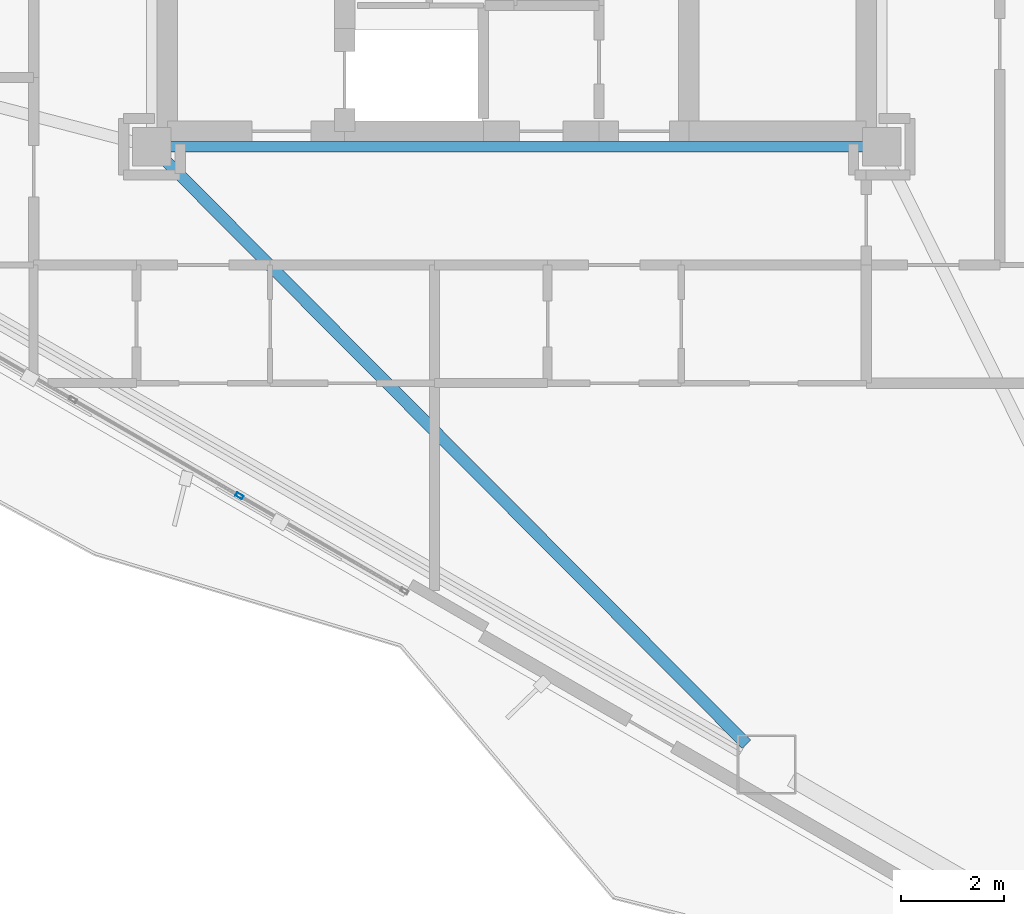
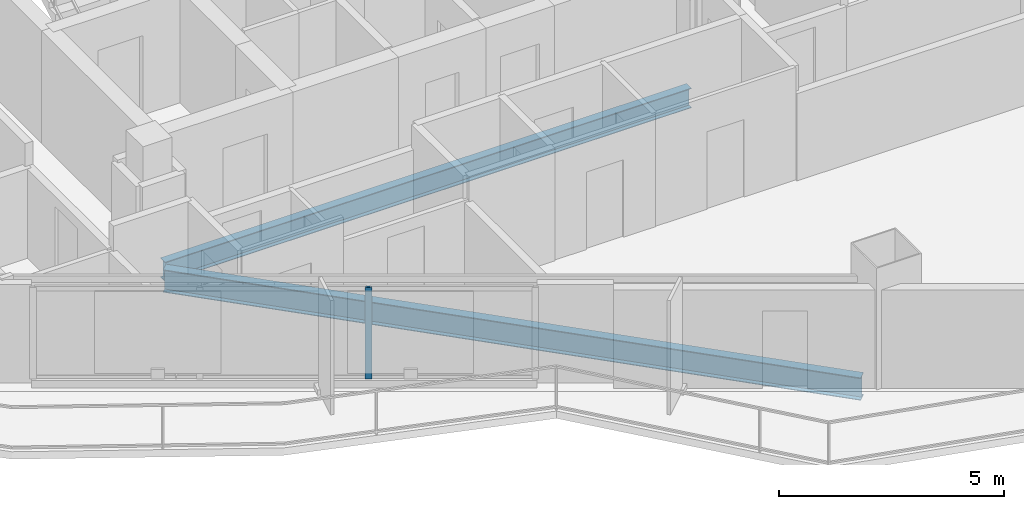
# One storey, part 4 of 23: 2 beams, 1 member, 1 element without a shape of its own.
"""IFC4 building model written with IfcOpenShell, lengths in metres."""

from ifc_helpers import new_model, si_unit, direction, frame, origin, origin_2d, place, context, subcontext, project, spatial, hollow_rectangle, i_section, extrude, material, layer, layer_set, material_profile, profile_set, type_object, element, aggregate, save


model = new_model("IFC4")

# Units and contexts
model_context = context("Model", 3, precision=1e-05, world=origin(), true_north=direction((0.0, 1.0)))
body_context = subcontext(model_context, "Body", "Model", "MODEL_VIEW")
ifc_project = project(units=[si_unit("LENGTHUNIT", "METRE"), si_unit("AREAUNIT", "SQUARE_METRE"), si_unit("VOLUMEUNIT", "CUBIC_METRE"), si_unit("PLANEANGLEUNIT", "RADIAN"), si_unit("MASSUNIT", "GRAM", prefix="KILO")], contexts=[model_context])

# Site, building, storey
site_placement = place(None, origin())
site = spatial("IfcSite", under=ifc_project, at=site_placement, CompositionType="ELEMENT")
building_placement = place(site_placement, origin())
building = spatial("IfcBuilding", under=site, at=building_placement, Name="Mersakhor Tower and Convention Hall", CompositionType="ELEMENT")
storey_placement = place(building_placement, frame((0.0, 0.0, 96.60009765625)))
storey = spatial("IfcBuildingStorey", under=building, at=storey_placement, Name="L26", CompositionType="ELEMENT", Elevation=96.60009765625)

# Beams
ifc_material_1 = material(Name="Steel S355", Category="steel")
ifc_material_profile_1 = material_profile(ifc_material_1, i_section(OverallWidth=0.2099609375, OverallDepth=0.53662109375, WebThickness=0.0107421875, FlangeThickness=0.017333984375, at=origin_2d()), Name="UB 533x210x101")
ifc_profile_set_1 = profile_set([ifc_material_profile_1], Name="Steel S355")
beam_type_1 = type_object("IfcBeamType", Name="BM-FB-533", PredefinedType="BEAM", material=ifc_profile_set_1)
beam_1_placement = place(storey_placement, frame((35.7451171875, 20.449951171875, -0.5185546875), z_axis=(-1.0, 0.0, 0.0), x_axis=(0.0, -1.0, 0.0)))
element("IfcBeam", 1, at=beam_1_placement, inside=storey, type_object=beam_type_1, Name="L26 Core Ring Tie Beam CRB-4", PredefinedType="BEAM", context=body_context, shape_type="SweptSolid", body=[
    extrude(i_section(OverallWidth=0.2099609375, OverallDepth=0.53662109375, WebThickness=0.0107421875, FlangeThickness=0.017333984375, at=origin_2d()), origin(), (0.0, 0.0, 1.0), 13.490234375),
])
ifc_material_2 = material(Name="Steel S355", Category="steel")
ifc_material_profile_2 = material_profile(ifc_material_2, i_section(OverallWidth=0.22900390625, OverallDepth=0.6123046875, WebThickness=0.011962890625, FlangeThickness=0.01953125, at=origin_2d()), Name="UB 610x229x125")
ifc_profile_set_2 = profile_set([ifc_material_profile_2], Name="Steel S355")
beam_type_2 = type_object("IfcBeamType", Name="BM-PR-610", PredefinedType="BEAM", material=ifc_profile_set_2)
beam_2_placement = place(storey_placement, frame((22.150390625, 20.198486328125, -0.55615234375), z_axis=(0.705400971754, -0.708808485452, 0.0), x_axis=(0.708808485452, 0.705400971754, 0.0)))
element("IfcBeam", 2, at=beam_2_placement, inside=storey, type_object=beam_type_2, Name="L26 Primary Floor Girder FG-5", PredefinedType="BEAM", context=body_context, shape_type="SweptSolid", body=[
    extrude(i_section(OverallWidth=0.22900390625, OverallDepth=0.6123046875, WebThickness=0.011962890625, FlangeThickness=0.01953125, at=origin_2d()), origin(), (0.0, 0.0, 1.0), 16.049072265625),
])

# Curtain wall, member
ifc_material_3 = material(Name="Dark solar low-E aluminium curtain wall", Category="aluminium")
ifc_layer = layer(ifc_material_3, 0.159912109375)
ifc_layer_set = layer_set([ifc_layer], Name="Dark solar low-E aluminium curtain wall")
curtain_wall_type = type_object("IfcCurtainWallType", Name="CW-SYS-01", PredefinedType="USERDEFINED", material=ifc_layer_set)
curtain_wall_placement = place(storey_placement, origin())
curtain_wall = element("IfcCurtainWall", 3, at=curtain_wall_placement, inside=storey, type_object=curtain_wall_type, Name="L26 Dark-Glass Curtain Wall F3-B2", ObjectType="CURTAIN WALL", PredefinedType="USERDEFINED")
ifc_material_4 = material(Name="Anodised aluminium EN AW-6063 T6", Category="aluminium")
ifc_material_profile_3 = material_profile(ifc_material_4, hollow_rectangle(XDim=0.074951171875, YDim=0.14990234375, WallThickness=0.00634765625, at=origin_2d()), Name="RHS 150x75x6.3")
ifc_profile_set_3 = profile_set([ifc_material_profile_3], Name="Anodised aluminium EN AW-6063 T6")
member_type = type_object("IfcMemberType", Name="CWM-150x75", PredefinedType="MULLION", material=ifc_profile_set_3)
member_placement = place(storey_placement, frame((23.603515625, 13.659912109375, 0.199951171875), z_axis=(0.0, 0.0, 1.0), x_axis=(-0.499997904985, -0.866026613339, 0.0)))
member = element("IfcMember", 4, at=member_placement, type_object=member_type, Name="CW-01 mullion 2", PredefinedType="MULLION", context=body_context, shape_type="SweptSolid", body=[
    extrude(hollow_rectangle(XDim=0.074951171875, YDim=0.14990234375, WallThickness=0.00634765625, at=origin_2d()), origin(), (0.0, 0.0, 1.0), 2.469970703125),
])
aggregate(curtain_wall, [member])

save(model, "model.ifc")
